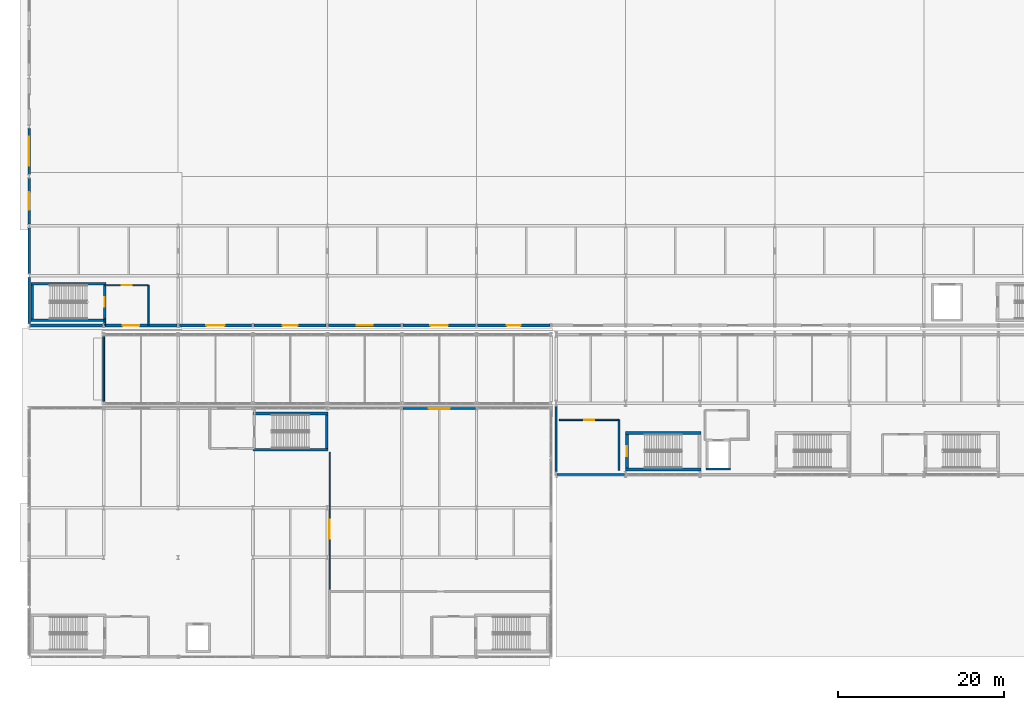
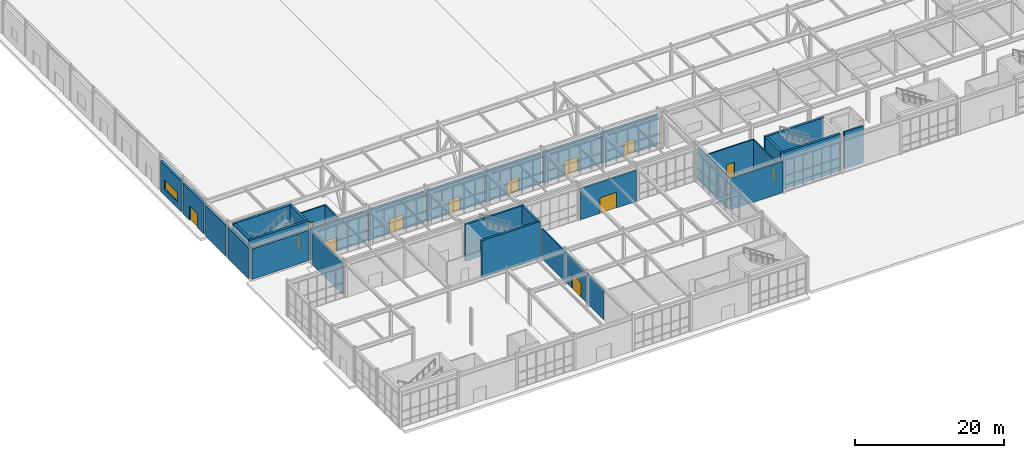
# One storey, part 119 of 146: 32 walls, 13 doors, 1 window, 14 openings.
"""IFC4 building model written with IfcOpenShell, lengths in metres."""

from ifc_helpers import new_model, si_unit, direction, frame, frame_2d, origin, place, context, subcontext, project, spatial, rectangle, extrude, material, layer, layer_set, type_object, element, fill, save


model = new_model("IFC4")

# Units and contexts
model_context = context("Model", 3, precision=1e-05, world=origin(), true_north=direction((0.0, 1.0)))
body_context = subcontext(model_context, "Body", "Model", "MODEL_VIEW")
ifc_project = project(units=[si_unit("LENGTHUNIT", "METRE"), si_unit("AREAUNIT", "SQUARE_METRE"), si_unit("VOLUMEUNIT", "CUBIC_METRE"), si_unit("PLANEANGLEUNIT", "RADIAN"), si_unit("MASSUNIT", "GRAM", prefix="KILO")], contexts=[model_context])

# Site, building, storey
site_placement = place(None, origin())
site = spatial("IfcSite", under=ifc_project, at=site_placement, CompositionType="ELEMENT")
building_placement = place(site_placement, origin())
building = spatial("IfcBuilding", under=site, at=building_placement, Name="Kaldris Quays Convention Centre", CompositionType="ELEMENT")
storey_placement = place(building_placement, origin())
storey = spatial("IfcBuildingStorey", under=building, at=storey_placement, Name="L00", CompositionType="ELEMENT", Elevation=0.0)

# Wall
ifc_material_1 = material(Name="Concrete C35/45", Category="concrete")
ifc_layer_1 = layer(ifc_material_1, 0.344970703125)
ifc_layer_set_1 = layer_set([ifc_layer_1], Name="Concrete C35/45")
wall_type_1 = type_object("IfcWallType", Name="EXTERIOR WALL EW01", PredefinedType="STANDARD", material=ifc_layer_set_1)
wall_1_placement = place(storey_placement, frame((20.1494140625, 56.0, 0.0), z_axis=(0.0, 0.0, 1.0), x_axis=(1.0, 0.0, 0.0)))
element("IfcWall", 1, at=wall_1_placement, inside=storey, type_object=wall_type_1, Name="L00 Exterior Wall EW01 1", PredefinedType="STANDARD", context=body_context, shape_type="SweptSolid", body=[
    extrude(rectangle(XDim=8.701171875, YDim=0.344970703125, at=frame_2d((4.3505859375, 0.0))), origin(), (0.0, 0.0, 1.0), 4.9580078125),
])

# Wall, opening, door
wall_2_placement = place(storey_placement, frame((29.1494140625, 56.0, 0.0), z_axis=(0.0, 0.0, 1.0), x_axis=(1.0, 0.0, 0.0)))
wall_2 = element("IfcWall", 2, at=wall_2_placement, inside=storey, type_object=wall_type_1, Name="L00 Exterior Wall EW01 4", PredefinedType="STANDARD", context=body_context, shape_type="SweptSolid", body=[
    extrude(rectangle(XDim=8.701171875, YDim=0.344970703125, at=frame_2d((4.3505859375, 0.0))), origin(), (0.0, 0.0, 1.0), 4.9580078125),
])
opening_1_placement = place(wall_2_placement, frame((2.150146484375, 0.0, 0.0)))
opening_1 = element("IfcOpeningElement", 3, at=opening_1_placement, cuts=wall_2, Name="Opening ED01", PredefinedType="OPENING", context=body_context, shape_type="SweptSolid", body=[
    extrude(rectangle(XDim=2.0, YDim=2.300048828125, at=frame_2d((1.0, 1.14990234375))), frame((0.0, 0.1826171875, 0.0), z_axis=(0.0, -1.0, 0.0), x_axis=(1.0, 0.0, 0.0)), (0.0, 0.0, 1.0), 0.364990234375),
])
ifc_material_2 = material(Name="Thermally broken anodized aluminium and laminated safety glass", Category="aluminium")
door_type_1 = type_object("IfcDoorType", Name="EXTERIOR DOOR ED01", OperationType="DOUBLE_DOOR_SINGLE_SWING", PredefinedType="DOOR", material=ifc_material_2)
door_1_placement = place(opening_1_placement, frame((2.0, 0.0, 0.0), z_axis=(0.0, 0.0, 1.0), x_axis=(-1.0, 0.0, 0.0)))
door_1 = element("IfcDoor", 4, at=door_1_placement, inside=storey, type_object=door_type_1, Name="L00 Stair ST01 Final Exterior Exit Door ED01", OperationType="DOUBLE_DOOR_SINGLE_SWING", OverallHeight=2.300048828125, OverallWidth=2.0, PredefinedType="DOOR", context=body_context, shape_type="SweptSolid", body=[
    extrude(rectangle(XDim=2.0, YDim=2.300048828125, at=frame_2d((1.0, 1.14990234375))), frame((0.0, 0.02490234375, 0.0), z_axis=(0.0, -1.0, 0.0), x_axis=(1.0, 0.0, 0.0)), (0.0, 0.0, 1.0), 0.050048828125),
])
fill(opening_1, door_1)

wall_3_placement = place(storey_placement, frame((38.1494140625, 56.0, 0.0), z_axis=(0.0, 0.0, 1.0), x_axis=(1.0, 0.0, 0.0)))
wall_3 = element("IfcWall", 5, at=wall_3_placement, inside=storey, type_object=wall_type_1, Name="L00 Exterior Wall EW01 7", PredefinedType="STANDARD", context=body_context, shape_type="SweptSolid", body=[
    extrude(rectangle(XDim=8.701171875, YDim=0.344970703125, at=frame_2d((4.3505859375, 0.0))), origin(), (0.0, 0.0, 1.0), 4.9580078125),
])
opening_2_placement = place(wall_3_placement, frame((3.25048828125, 0.0, 0.0)))
opening_2 = element("IfcOpeningElement", 6, at=opening_2_placement, cuts=wall_3, Name="Opening ED02", PredefinedType="OPENING", context=body_context, shape_type="SweptSolid", body=[
    extrude(rectangle(XDim=2.199951171875, YDim=2.39990234375, at=frame_2d((1.10009765625, 1.199951171875))), frame((0.0, 0.1826171875, 0.0), z_axis=(0.0, -1.0, 0.0), x_axis=(1.0, 0.0, 0.0)), (0.0, 0.0, 1.0), 0.364990234375),
])
door_type_2 = type_object("IfcDoorType", Name="EXTERIOR DOOR ED02", OperationType="DOUBLE_DOOR_SINGLE_SWING", PredefinedType="DOOR", material=ifc_material_2)
door_2_placement = place(opening_2_placement, frame((2.199951171875, 0.0, 0.0), z_axis=(0.0, 0.0, 1.0), x_axis=(-1.0, 0.0, 0.0)))
door_2 = element("IfcDoor", 7, at=door_2_placement, inside=storey, type_object=door_type_2, Name="L00 Exterior Exit Door ED02 1", OperationType="DOUBLE_DOOR_SINGLE_SWING", OverallHeight=2.39990234375, OverallWidth=2.199951171875, PredefinedType="DOOR", context=body_context, shape_type="SweptSolid", body=[
    extrude(rectangle(XDim=2.199951171875, YDim=2.39990234375, at=frame_2d((1.10009765625, 1.199951171875))), frame((0.0, 0.02490234375, 0.0), z_axis=(0.0, -1.0, 0.0), x_axis=(1.0, 0.0, 0.0)), (0.0, 0.0, 1.0), 0.050048828125),
])
fill(opening_2, door_2)

wall_4_placement = place(storey_placement, frame((47.1494140625, 56.0, 0.0), z_axis=(0.0, 0.0, 1.0), x_axis=(1.0, 0.0, 0.0)))
wall_4 = element("IfcWall", 8, at=wall_4_placement, inside=storey, type_object=wall_type_1, Name="L00 Exterior Wall EW01 10", PredefinedType="STANDARD", context=body_context, shape_type="SweptSolid", body=[
    extrude(rectangle(XDim=8.701171875, YDim=0.344970703125, at=frame_2d((4.3505859375, 0.0))), origin(), (0.0, 0.0, 1.0), 4.9580078125),
])
opening_3_placement = place(wall_4_placement, frame((3.450439453125, 0.0, 0.0)))
opening_3 = element("IfcOpeningElement", 9, at=opening_3_placement, cuts=wall_4, Name="Opening ED04", PredefinedType="OPENING", context=body_context, shape_type="SweptSolid", body=[
    extrude(rectangle(XDim=1.800048828125, YDim=2.300048828125, at=frame_2d((0.89990234375, 1.14990234375))), frame((0.0, 0.1826171875, 0.0), z_axis=(0.0, -1.0, 0.0), x_axis=(1.0, 0.0, 0.0)), (0.0, 0.0, 1.0), 0.364990234375),
])
door_type_3 = type_object("IfcDoorType", Name="EXTERIOR DOOR ED04", OperationType="DOUBLE_DOOR_SINGLE_SWING", PredefinedType="DOOR", material=ifc_material_2)
door_3_placement = place(opening_3_placement, frame((1.800048828125, 0.0, 0.0), z_axis=(0.0, 0.0, 1.0), x_axis=(-1.0, 0.0, 0.0)))
door_3 = element("IfcDoor", 10, at=door_3_placement, inside=storey, type_object=door_type_3, Name="L00 Exterior Exit Door ED04 3", OperationType="DOUBLE_DOOR_SINGLE_SWING", OverallHeight=2.300048828125, OverallWidth=1.800048828125, PredefinedType="DOOR", context=body_context, shape_type="SweptSolid", body=[
    extrude(rectangle(XDim=1.800048828125, YDim=2.300048828125, at=frame_2d((0.89990234375, 1.14990234375))), frame((0.0, 0.02490234375, 0.0), z_axis=(0.0, -1.0, 0.0), x_axis=(1.0, 0.0, 0.0)), (0.0, 0.0, 1.0), 0.050048828125),
])
fill(opening_3, door_3)

wall_5_placement = place(storey_placement, frame((56.1494140625, 56.0, 0.0), z_axis=(0.0, 0.0, 1.0), x_axis=(1.0, 0.0, 0.0)))
wall_5 = element("IfcWall", 11, at=wall_5_placement, inside=storey, type_object=wall_type_1, Name="L00 Exterior Wall EW01 13", PredefinedType="STANDARD", context=body_context, shape_type="SweptSolid", body=[
    extrude(rectangle(XDim=8.701171875, YDim=0.344970703125, at=frame_2d((4.3505859375, 0.0))), origin(), (0.0, 0.0, 1.0), 4.9580078125),
])
opening_4_placement = place(wall_5_placement, frame((3.390380859375, 0.0, 0.0)))
opening_4 = element("IfcOpeningElement", 12, at=opening_4_placement, cuts=wall_5, Name="Opening ED07", PredefinedType="OPENING", context=body_context, shape_type="SweptSolid", body=[
    extrude(rectangle(XDim=1.919921875, YDim=2.239990234375, at=frame_2d((0.9599609375, 1.1201171875))), frame((0.0, 0.1826171875, 0.0), z_axis=(0.0, -1.0, 0.0), x_axis=(1.0, 0.0, 0.0)), (0.0, 0.0, 1.0), 0.364990234375),
])
door_type_4 = type_object("IfcDoorType", Name="EXTERIOR DOOR ED07", OperationType="DOUBLE_DOOR_SINGLE_SWING", PredefinedType="DOOR", material=ifc_material_2)
door_4_placement = place(opening_4_placement, frame((1.919921875, 0.0, 0.0), z_axis=(0.0, 0.0, 1.0), x_axis=(-1.0, 0.0, 0.0)))
door_4 = element("IfcDoor", 13, at=door_4_placement, inside=storey, type_object=door_type_4, Name="L00 Exterior Exit Door ED07 4", OperationType="DOUBLE_DOOR_SINGLE_SWING", OverallHeight=2.239990234375, OverallWidth=1.919921875, PredefinedType="DOOR", context=body_context, shape_type="SweptSolid", body=[
    extrude(rectangle(XDim=1.919921875, YDim=2.239990234375, at=frame_2d((0.9599609375, 1.1201171875))), frame((0.0, 0.02490234375, 0.0), z_axis=(0.0, -1.0, 0.0), x_axis=(1.0, 0.0, 0.0)), (0.0, 0.0, 1.0), 0.050048828125),
])
fill(opening_4, door_4)

wall_6_placement = place(storey_placement, frame((65.1494140625, 56.0, 0.0), z_axis=(0.0, 0.0, 1.0), x_axis=(1.0, 0.0, 0.0)))
wall_6 = element("IfcWall", 14, at=wall_6_placement, inside=storey, type_object=wall_type_1, Name="L00 Exterior Wall EW01 16", PredefinedType="STANDARD", context=body_context, shape_type="SweptSolid", body=[
    extrude(rectangle(XDim=8.701171875, YDim=0.344970703125, at=frame_2d((4.3505859375, 0.0))), origin(), (0.0, 0.0, 1.0), 4.9580078125),
])
opening_5_placement = place(wall_6_placement, frame((3.29052734375, 0.0, 0.0)))
opening_5 = element("IfcOpeningElement", 15, at=opening_5_placement, cuts=wall_6, Name="Opening ED08", PredefinedType="OPENING", context=body_context, shape_type="SweptSolid", body=[
    extrude(rectangle(XDim=2.1201171875, YDim=2.340087890625, at=frame_2d((1.06005859375, 1.169921875))), frame((0.0, 0.1826171875, 0.0), z_axis=(0.0, -1.0, 0.0), x_axis=(1.0, 0.0, 0.0)), (0.0, 0.0, 1.0), 0.364990234375),
])
door_type_5 = type_object("IfcDoorType", Name="EXTERIOR DOOR ED08", OperationType="DOUBLE_DOOR_SINGLE_SWING", PredefinedType="DOOR", material=ifc_material_2)
door_5_placement = place(opening_5_placement, frame((2.1201171875, 0.0, 0.0), z_axis=(0.0, 0.0, 1.0), x_axis=(-1.0, 0.0, 0.0)))
door_5 = element("IfcDoor", 16, at=door_5_placement, inside=storey, type_object=door_type_5, Name="L00 Exterior Exit Door ED08 5", OperationType="DOUBLE_DOOR_SINGLE_SWING", OverallHeight=2.340087890625, OverallWidth=2.1201171875, PredefinedType="DOOR", context=body_context, shape_type="SweptSolid", body=[
    extrude(rectangle(XDim=2.1201171875, YDim=2.340087890625, at=frame_2d((1.06005859375, 1.169921875))), frame((0.0, 0.02490234375, 0.0), z_axis=(0.0, -1.0, 0.0), x_axis=(1.0, 0.0, 0.0)), (0.0, 0.0, 1.0), 0.050048828125),
])
fill(opening_5, door_5)

wall_7_placement = place(storey_placement, frame((74.1494140625, 56.0, 0.0), z_axis=(0.0, 0.0, 1.0), x_axis=(1.0, 0.0, 0.0)))
wall_7 = element("IfcWall", 17, at=wall_7_placement, inside=storey, type_object=wall_type_1, Name="L00 Exterior Wall EW01 19", PredefinedType="STANDARD", context=body_context, shape_type="SweptSolid", body=[
    extrude(rectangle(XDim=8.701171875, YDim=0.344970703125, at=frame_2d((4.3505859375, 0.0))), origin(), (0.0, 0.0, 1.0), 4.9580078125),
])
opening_6_placement = place(wall_7_placement, frame((3.510498046875, 0.0, 0.0)))
opening_6 = element("IfcOpeningElement", 18, at=opening_6_placement, cuts=wall_7, Name="Opening ED10", PredefinedType="OPENING", context=body_context, shape_type="SweptSolid", body=[
    extrude(rectangle(XDim=1.679931640625, YDim=2.219970703125, at=frame_2d((0.83984375, 1.10986328125))), frame((0.0, 0.1826171875, 0.0), z_axis=(0.0, -1.0, 0.0), x_axis=(1.0, 0.0, 0.0)), (0.0, 0.0, 1.0), 0.364990234375),
])
door_type_6 = type_object("IfcDoorType", Name="EXTERIOR DOOR ED10", OperationType="DOUBLE_DOOR_SINGLE_SWING", PredefinedType="DOOR", material=ifc_material_2)
door_6_placement = place(opening_6_placement, frame((1.679931640625, 0.0, 0.0), z_axis=(0.0, 0.0, 1.0), x_axis=(-1.0, 0.0, 0.0)))
door_6 = element("IfcDoor", 19, at=door_6_placement, inside=storey, type_object=door_type_6, Name="L00 Exterior Exit Door ED10 7", OperationType="DOUBLE_DOOR_SINGLE_SWING", OverallHeight=2.219970703125, OverallWidth=1.679931640625, PredefinedType="DOOR", context=body_context, shape_type="SweptSolid", body=[
    extrude(rectangle(XDim=1.679931640625, YDim=2.219970703125, at=frame_2d((0.83984375, 1.10986328125))), frame((0.0, 0.02490234375, 0.0), z_axis=(0.0, -1.0, 0.0), x_axis=(1.0, 0.0, 0.0)), (0.0, 0.0, 1.0), 0.050048828125),
])
fill(opening_6, door_6)

# Walls
ifc_layer_2 = layer(ifc_material_1, 0.31201171875)
ifc_layer_set_2 = layer_set([ifc_layer_2], Name="Concrete C35/45")
wall_type_2 = type_object("IfcWallType", Name="EXTERIOR WALL EW02", PredefinedType="STANDARD", material=ifc_layer_set_2)
for number, where, z_axis, x_axis, name in (
    (20, (20.0, 56.2119140625, 0.0), (0.0, 0.0, 1.0), (0.0, 1.0, 0.0), "L00 Exterior Wall EW02 43"),
    (21, (20.0, 62.2119140625, 0.0), (0.0, 0.0, 1.0), (0.0, 1.0, 0.0), "L00 Exterior Wall EW02 46"),
):
    element("IfcWall", number, at=place(storey_placement, frame(where, z_axis=z_axis, x_axis=x_axis)), inside=storey, type_object=wall_type_2, Name=name, PredefinedType="STANDARD", context=body_context, shape_type="SweptSolid", body=[
        extrude(rectangle(XDim=5.576171875, YDim=0.31201171875, at=frame_2d((2.7880859375, 0.0))), origin(), (0.0, 0.0, 1.0), 4.9580078125),
    ])

# Wall, opening, door
wall_8_placement = place(storey_placement, frame((20.0, 68.2119140625, 0.0), z_axis=(0.0, 0.0, 1.0), x_axis=(0.0, 1.0, 0.0)))
wall_8 = element("IfcWall", 22, at=wall_8_placement, inside=storey, type_object=wall_type_2, Name="L00 Exterior Wall EW02 50", PredefinedType="STANDARD", context=body_context, shape_type="SweptSolid", body=[
    extrude(rectangle(XDim=5.576171875, YDim=0.31201171875, at=frame_2d((2.7880859375, 0.0))), origin(), (0.0, 0.0, 1.0), 4.9580078125),
])
opening_7_placement = place(wall_8_placement, frame((1.72802734375, 0.0, 0.0)))
opening_7 = element("IfcOpeningElement", 23, at=opening_7_placement, cuts=wall_8, Name="Opening ED08", PredefinedType="OPENING", context=body_context, shape_type="SweptSolid", body=[
    extrude(rectangle(XDim=2.1201171875, YDim=2.340087890625, at=frame_2d((1.06005859375, 1.169921875))), frame((0.0, 0.166015625, 0.0), z_axis=(0.0, -1.0, 0.0), x_axis=(1.0, 0.0, 0.0)), (0.0, 0.0, 1.0), 0.33203125),
])
door_7_placement = place(opening_7_placement, origin())
door_7 = element("IfcDoor", 24, at=door_7_placement, inside=storey, type_object=door_type_5, Name="L00 Exterior Exit Door ED08 14", OperationType="DOUBLE_DOOR_SINGLE_SWING", OverallHeight=2.340087890625, OverallWidth=2.1201171875, PredefinedType="DOOR", context=body_context, shape_type="SweptSolid", body=[
    extrude(rectangle(XDim=2.1201171875, YDim=2.340087890625, at=frame_2d((1.06005859375, 1.169921875))), frame((0.0, 0.02490234375, 0.0), z_axis=(0.0, -1.0, 0.0), x_axis=(1.0, 0.0, 0.0)), (0.0, 0.0, 1.0), 0.050048828125),
])
fill(opening_7, door_7)

# Wall, opening, window
wall_9_placement = place(storey_placement, frame((20.0, 74.2119140625, 0.0), z_axis=(0.0, 0.0, 1.0), x_axis=(0.0, 1.0, 0.0)))
wall_9 = element("IfcWall", 25, at=wall_9_placement, inside=storey, type_object=wall_type_2, Name="L00 Exterior Wall EW02 53", PredefinedType="STANDARD", context=body_context, shape_type="SweptSolid", body=[
    extrude(rectangle(XDim=5.576171875, YDim=0.31201171875, at=frame_2d((2.7880859375, 0.0))), origin(), (0.0, 0.0, 1.0), 5.0),
])
opening_8_placement = place(wall_9_placement, frame((1.0380859375, 0.0, 1.0)))
opening_8 = element("IfcOpeningElement", 26, at=opening_8_placement, cuts=wall_9, Name="Opening WN34", PredefinedType="OPENING", context=body_context, shape_type="SweptSolid", body=[
    extrude(rectangle(XDim=3.5, YDim=1.550048828125, at=frame_2d((1.75, 0.77490234375))), frame((0.0, 0.166015625, 0.0), z_axis=(0.0, -1.0, 0.0), x_axis=(1.0, 0.0, 0.0)), (0.0, 0.0, 1.0), 0.33203125),
])
ifc_material_3 = material(Name="Triple low-E insulated glazing", Category="glass")
window_type = type_object("IfcWindowType", Name="TRIPLE GLAZED WINDOW WN34", PartitioningType="SINGLE_PANEL", PredefinedType="WINDOW", material=ifc_material_3)
window_placement = place(opening_8_placement, origin())
window = element("IfcWindow", 27, at=window_placement, inside=storey, type_object=window_type, Name="L00 Exterior Window WN34 17", OverallHeight=1.550048828125, OverallWidth=3.5, PartitioningType="SINGLE_PANEL", PredefinedType="WINDOW", context=body_context, shape_type="SweptSolid", body=[
    extrude(rectangle(XDim=3.5, YDim=1.550048828125, at=frame_2d((1.75, 0.77490234375))), frame((0.0, 0.030029296875, 0.0), z_axis=(0.0, -1.0, 0.0), x_axis=(1.0, 0.0, 0.0)), (0.0, 0.0, 1.0), 0.06005859375),
])
fill(opening_8, window)

# Wall
ifc_material_4 = material(Name="Precast concrete C40/50", Category="concrete")
ifc_layer_3 = layer(ifc_material_4, 0.2880859375)
ifc_layer_set_3 = layer_set([ifc_layer_3], Name="Precast concrete C40/50")
wall_type_3 = type_object("IfcWallType", Name="EXTERIOR WALL EW03", PredefinedType="STANDARD", material=ifc_layer_set_3)
wall_10_placement = place(storey_placement, frame((83.60009765625, 38.345947265625, 0.0), z_axis=(0.0, 0.0, 1.0), x_axis=(0.0, 1.0, 0.0)))
element("IfcWall", 28, at=wall_10_placement, inside=storey, type_object=wall_type_3, Name="L00 Exterior Wall EW03 238", PredefinedType="STANDARD", context=body_context, shape_type="SweptSolid", body=[
    extrude(rectangle(XDim=7.907958984375, YDim=0.2880859375, at=frame_2d((3.9541015625, 0.0))), origin(), (0.0, 0.0, 1.0), 5.10009765625),
])

# Wall, opening, door
ifc_material_5 = material(Name="Basalt stone ashlar cladding", Category="masonry")
ifc_layer_4 = layer(ifc_material_5, 0.241943359375)
ifc_layer_set_4 = layer_set([ifc_layer_4], Name="Basalt stone ashlar cladding")
wall_type_4 = type_object("IfcWallType", Name="EXTERIOR WALL EW05", PredefinedType="STANDARD", material=ifc_layer_set_4)
wall_11_placement = place(storey_placement, frame((65.14990234375, 46.0, 0.0), z_axis=(0.0, 0.0, 1.0), x_axis=(1.0, 0.0, 0.0)))
wall_11 = element("IfcWall", 29, at=wall_11_placement, inside=storey, type_object=wall_type_4, Name="L00 Exterior Wall EW05 158", PredefinedType="STANDARD", context=body_context, shape_type="SweptSolid", body=[
    extrude(rectangle(XDim=8.7001953125, YDim=0.241943359375, at=frame_2d((4.35009765625, 0.0))), origin(), (0.0, 0.0, 1.0), 5.097900390625),
])
opening_9_placement = place(wall_11_placement, frame((3.074951171875, 0.0, 0.0)))
opening_9 = element("IfcOpeningElement", 30, at=opening_9_placement, cuts=wall_11, Name="Opening ED11", PredefinedType="OPENING", context=body_context, shape_type="SweptSolid", body=[
    extrude(rectangle(XDim=2.550048828125, YDim=2.550048828125, at=frame_2d((1.27490234375, 1.27490234375))), frame((0.0, 0.130859375, 0.0), z_axis=(0.0, -1.0, 0.0), x_axis=(1.0, 0.0, 0.0)), (0.0, 0.0, 1.0), 0.261962890625),
])
door_type_7 = type_object("IfcDoorType", Name="EXTERIOR DOOR ED11", OperationType="DOUBLE_DOOR_SINGLE_SWING", PredefinedType="DOOR", material=ifc_material_2)
door_8_placement = place(opening_9_placement, origin())
door_8 = element("IfcDoor", 31, at=door_8_placement, inside=storey, type_object=door_type_7, Name="L00 Exterior Exit Door ED11 30", OperationType="DOUBLE_DOOR_SINGLE_SWING", OverallHeight=2.550048828125, OverallWidth=2.550048828125, PredefinedType="DOOR", context=body_context, shape_type="SweptSolid", body=[
    extrude(rectangle(XDim=2.550048828125, YDim=2.550048828125, at=frame_2d((1.27490234375, 1.27490234375))), frame((0.0, 0.02490234375, 0.0), z_axis=(0.0, -1.0, 0.0), x_axis=(1.0, 0.0, 0.0)), (0.0, 0.0, 1.0), 0.050048828125),
])
fill(opening_9, door_8)

# Walls
ifc_material_6 = material(Name="Anodized aluminium insulated cassette", Category="aluminium")
ifc_layer_5 = layer(ifc_material_6, 0.221923828125)
ifc_layer_set_5 = layer_set([ifc_layer_5], Name="Anodized aluminium insulated cassette")
wall_type_5 = type_object("IfcWallType", Name="EXTERIOR WALL EW06", PredefinedType="STANDARD", material=ifc_layer_set_5)
wall_12_placement = place(storey_placement, frame((29.0, 46.791015625, 0.0), z_axis=(0.0, 0.0, 1.0), x_axis=(0.0, 1.0, 0.0)))
element("IfcWall", 32, at=wall_12_placement, inside=storey, type_object=wall_type_5, Name="L00 Exterior Wall EW06 214", PredefinedType="STANDARD", context=body_context, shape_type="SweptSolid", body=[
    extrude(rectangle(XDim=7.91796875, YDim=0.221923828125, at=frame_2d((3.958984375, 0.0))), origin(), (0.0, 0.0, 1.0), 5.10009765625),
])
wall_13_placement = place(storey_placement, frame((83.74609375, 38.0, 0.0), z_axis=(0.0, 0.0, 1.0), x_axis=(1.0, 0.0, 0.0)))
element("IfcWall", 33, at=wall_13_placement, inside=storey, type_object=wall_type_5, Name="L00 Exterior Wall EW06 227", PredefinedType="STANDARD", context=body_context, shape_type="SweptSolid", body=[
    extrude(rectangle(XDim=8.10791015625, YDim=0.221923828125, at=frame_2d((4.053955078125, 0.0))), origin(), (0.0, 0.0, 1.0), 5.097900390625),
])

# Wall, opening, door
ifc_layer_6 = layer(ifc_material_1, 0.199951171875)
ifc_layer_set_6 = layer_set([ifc_layer_6], Name="Concrete C35/45")
wall_type_6 = type_object("IfcWallType", Name="INTERIOR WALL IW01", PredefinedType="PARTITIONING", material=ifc_layer_set_6)
wall_14_placement = place(storey_placement, frame((29.125, 60.85009765625, 0.0), z_axis=(0.0, 0.0, 1.0), x_axis=(1.0, 0.0, 0.0)))
wall_14 = element("IfcWall", 34, at=wall_14_placement, inside=storey, type_object=wall_type_6, Name="L00 Protected Exit Lobby ST01 Fire Wall", PredefinedType="PARTITIONING", context=body_context, shape_type="SweptSolid", body=[
    extrude(rectangle(XDim=5.27490234375, YDim=0.199951171875, at=frame_2d((2.637451171875, 0.0))), origin(), (0.0, 0.0, 1.0), 4.199951171875),
])
opening_10_placement = place(wall_14_placement, frame((2.03759765625, 0.0, 0.0)))
opening_10 = element("IfcOpeningElement", 35, at=opening_10_placement, cuts=wall_14, Name="Opening ID03", PredefinedType="OPENING", context=body_context, shape_type="SweptSolid", body=[
    extrude(rectangle(XDim=1.199951171875, YDim=2.199951171875, at=frame_2d((0.60009765625, 1.10009765625))), frame((0.0, 0.10986328125, 0.0), z_axis=(0.0, -1.0, 0.0), x_axis=(1.0, 0.0, 0.0)), (0.0, 0.0, 1.0), 0.219970703125),
])
ifc_material_7 = material(Name="Steel S355J2 fire-resisting door", Category="steel")
door_type_8 = type_object("IfcDoorType", Name="INTERIOR DOOR ID03", OperationType="NOTDEFINED", PredefinedType="DOOR", material=ifc_material_7)
door_9_placement = place(opening_10_placement, frame((1.199951171875, 0.0, 0.0), z_axis=(0.0, 0.0, 1.0), x_axis=(-1.0, 0.0, 0.0)))
door_9 = element("IfcDoor", 36, at=door_9_placement, inside=storey, type_object=door_type_8, Name="L00 Protected Exit Lobby ST01 Entry Fire Door", OperationType="SINGLE_SWING_RIGHT", OverallHeight=2.199951171875, OverallWidth=1.199951171875, PredefinedType="DOOR", context=body_context, shape_type="SweptSolid", body=[
    extrude(rectangle(XDim=1.199951171875, YDim=2.199951171875, at=frame_2d((0.60009765625, 1.10009765625))), frame((0.0, 0.02490234375, 0.0), z_axis=(0.0, -1.0, 0.0), x_axis=(1.0, 0.0, 0.0)), (0.0, 0.0, 1.0), 0.050048828125),
])
fill(opening_10, door_9)

# Walls
wall_15_placement = place(storey_placement, frame((34.39990234375, 56.0, 0.0), z_axis=(0.0, 0.0, 1.0), x_axis=(0.0, 1.0, 0.0)))
element("IfcWall", 37, at=wall_15_placement, inside=storey, type_object=wall_type_6, Name="L00 Protected Exit Lobby ST01 Side Wall 1", PredefinedType="PARTITIONING", context=body_context, shape_type="SweptSolid", body=[
    extrude(rectangle(XDim=4.85009765625, YDim=0.199951171875, at=frame_2d((2.425048828125, 0.0))), origin(), (0.0, 0.0, 1.0), 4.199951171875),
])
wall_16_placement = place(storey_placement, frame((29.125, 56.0, 0.0), z_axis=(0.0, 0.0, 1.0), x_axis=(0.0, 1.0, 0.0)))
element("IfcWall", 38, at=wall_16_placement, inside=storey, type_object=wall_type_6, Name="L00 Protected Exit Lobby ST01 Side Wall 2", PredefinedType="PARTITIONING", context=body_context, shape_type="SweptSolid", body=[
    extrude(rectangle(XDim=0.800048828125, YDim=0.199951171875, at=frame_2d((0.39990234375, 0.0))), origin(), (0.0, 0.0, 1.0), 4.199951171875),
])

# Wall, opening, door
wall_17_placement = place(storey_placement, frame((84.0, 44.60009765625, 0.0), z_axis=(0.0, 0.0, 1.0), x_axis=(1.0, 0.0, 0.0)))
wall_17 = element("IfcWall", 39, at=wall_17_placement, inside=storey, type_object=wall_type_6, Name="L00 Interior Wall IW01 23", PredefinedType="PARTITIONING", context=body_context, shape_type="SweptSolid", body=[
    extrude(rectangle(XDim=7.199951171875, YDim=0.199951171875, at=frame_2d((3.60009765625, 0.0))), origin(), (0.0, 0.0, 1.0), 4.89990234375),
])
opening_11_placement = place(wall_17_placement, frame((3.0, 0.0, 0.0)))
opening_11 = element("IfcOpeningElement", 40, at=opening_11_placement, cuts=wall_17, Name="Opening ID03", PredefinedType="OPENING", context=body_context, shape_type="SweptSolid", body=[
    extrude(rectangle(XDim=1.199951171875, YDim=2.199951171875, at=frame_2d((0.60009765625, 1.10009765625))), frame((0.0, 0.10986328125, 0.0), z_axis=(0.0, -1.0, 0.0), x_axis=(1.0, 0.0, 0.0)), (0.0, 0.0, 1.0), 0.219970703125),
])
door_10_placement = place(opening_11_placement, origin())
door_10 = element("IfcDoor", 41, at=door_10_placement, inside=storey, type_object=door_type_8, Name="L00 Interior Door ID03 17", OperationType="SINGLE_SWING_RIGHT", OverallHeight=2.199951171875, OverallWidth=1.199951171875, PredefinedType="DOOR", context=body_context, shape_type="SweptSolid", body=[
    extrude(rectangle(XDim=1.199951171875, YDim=2.199951171875, at=frame_2d((0.60009765625, 1.10009765625))), frame((0.0, 0.02490234375, 0.0), z_axis=(0.0, -1.0, 0.0), x_axis=(1.0, 0.0, 0.0)), (0.0, 0.0, 1.0), 0.050048828125),
])
fill(opening_11, door_10)

# Wall
wall_18_placement = place(storey_placement, frame((91.199951171875, 38.5, 0.0), z_axis=(0.0, 0.0, 1.0), x_axis=(0.0, 1.0, 0.0)))
element("IfcWall", 42, at=wall_18_placement, inside=storey, type_object=wall_type_6, Name="L00 Interior Wall IW01 24", PredefinedType="PARTITIONING", context=body_context, shape_type="SweptSolid", body=[
    extrude(rectangle(XDim=6.10009765625, YDim=0.199951171875, at=frame_2d((3.050048828125, 0.0))), origin(), (0.0, 0.0, 1.0), 4.89990234375),
])

# Wall, opening, door
ifc_material_8 = material(Name="Acoustic gypsum stud partition", Category="gypsum")
ifc_layer_7 = layer(ifc_material_8, 0.14794921875)
ifc_layer_set_7 = layer_set([ifc_layer_7], Name="Acoustic gypsum stud partition")
wall_type_7 = type_object("IfcWallType", Name="INTERIOR WALL IW04", PredefinedType="PARTITIONING", material=ifc_layer_set_7)
wall_19_placement = place(storey_placement, frame((56.280029296875, 24.10009765625, 0.0), z_axis=(0.0, 0.0, 1.0), x_axis=(0.0, 1.0, 0.0)))
wall_19 = element("IfcWall", 43, at=wall_19_placement, inside=storey, type_object=wall_type_7, Name="L00 Interior Wall IW04 28", PredefinedType="PARTITIONING", context=body_context, shape_type="SweptSolid", body=[
    extrude(rectangle(XDim=16.599853515625, YDim=0.14794921875, at=frame_2d((8.2998046875, 0.0))), origin(), (0.0, 0.0, 1.0), 4.89990234375),
])
opening_12_placement = place(wall_19_placement, frame((6.14990234375, 0.0, 0.0)))
opening_12 = element("IfcOpeningElement", 44, at=opening_12_placement, cuts=wall_19, Name="Opening ID11", PredefinedType="OPENING", context=body_context, shape_type="SweptSolid", body=[
    extrude(rectangle(XDim=2.300048828125, YDim=2.360107421875, at=frame_2d((1.14990234375, 1.18017578125))), frame((0.0, 0.083984375, 0.0), z_axis=(0.0, -1.0, 0.0), x_axis=(1.0, 0.0, 0.0)), (0.0, 0.0, 1.0), 0.16796875),
])
ifc_material_9 = material(Name="Glazed anodized aluminium foyer door", Category="aluminium")
door_type_9 = type_object("IfcDoorType", Name="INTERIOR DOOR ID11", OperationType="DOUBLE_DOOR_SINGLE_SWING", PredefinedType="DOOR", material=ifc_material_9)
door_11_placement = place(opening_12_placement, origin())
door_11 = element("IfcDoor", 45, at=door_11_placement, inside=storey, type_object=door_type_9, Name="L00 Interior Door ID11 21", OperationType="DOUBLE_DOOR_SINGLE_SWING", OverallHeight=2.360107421875, OverallWidth=2.300048828125, PredefinedType="DOOR", context=body_context, shape_type="SweptSolid", body=[
    extrude(rectangle(XDim=2.300048828125, YDim=2.360107421875, at=frame_2d((1.14990234375, 1.18017578125))), frame((0.0, 0.02490234375, 0.0), z_axis=(0.0, -1.0, 0.0), x_axis=(1.0, 0.0, 0.0)), (0.0, 0.0, 1.0), 0.050048828125),
])
fill(opening_12, door_11)

# Walls
ifc_material_10 = material(Name="Concrete C40/50", Category="concrete")
ifc_layer_8 = layer(ifc_material_10, 0.35009765625)
ifc_layer_set_8 = layer_set([ifc_layer_8], Name="Concrete C40/50")
wall_type_8 = type_object("IfcWallType", Name="STRUCTURAL WALL SW01", PredefinedType="SHEAR", material=ifc_layer_set_8)
for number, where, z_axis, x_axis, name in (
    (46, (20.199951171875, 56.625, 0.0), (0.0, 0.0, 1.0), (1.0, 0.0, 0.0), "L00 Core Shear Wall CORE-ST01-L00-S"),
    (47, (20.199951171875, 61.02490234375, 0.0), (0.0, 0.0, 1.0), (1.0, 0.0, 0.0), "L00 Core Shear Wall CORE-ST01-L00-N"),
):
    element("IfcWall", number, at=place(storey_placement, frame(where, z_axis=z_axis, x_axis=x_axis)), inside=storey, type_object=wall_type_8, Name=name, PredefinedType="SHEAR", context=body_context, shape_type="SweptSolid", body=[
        extrude(rectangle(XDim=9.10009765625, YDim=0.35009765625, at=frame_2d((4.550048828125, 0.0))), origin(), (0.0, 0.0, 1.0), 6.0),
    ])
wall_20_placement = place(storey_placement, frame((20.375, 56.800048828125, 0.0), z_axis=(0.0, 0.0, 1.0), x_axis=(0.0, 1.0, 0.0)))
element("IfcWall", 48, at=wall_20_placement, inside=storey, type_object=wall_type_8, Name="L00 Core Shear Wall CORE-ST01-L00-W", PredefinedType="SHEAR", context=body_context, shape_type="SweptSolid", body=[
    extrude(rectangle(XDim=4.050048828125, YDim=0.35009765625, at=frame_2d((2.02490234375, 0.0))), origin(), (0.0, 0.0, 1.0), 6.0),
])

# Wall, opening, door
wall_21_placement = place(storey_placement, frame((29.125, 56.800048828125, 0.0), z_axis=(0.0, 0.0, 1.0), x_axis=(0.0, 1.0, 0.0)))
wall_21 = element("IfcWall", 49, at=wall_21_placement, inside=storey, type_object=wall_type_8, Name="L00 Core Shear Wall CORE-ST01-L00-E", PredefinedType="SHEAR", context=body_context, shape_type="SweptSolid", body=[
    extrude(rectangle(XDim=4.050048828125, YDim=0.35009765625, at=frame_2d((2.02490234375, 0.0))), origin(), (0.0, 0.0, 1.0), 6.0),
])
opening_13_placement = place(wall_21_placement, frame((1.425048828125, 0.0, 0.0)))
opening_13 = element("IfcOpeningElement", 50, at=opening_13_placement, cuts=wall_21, Name="Opening ID03", PredefinedType="OPENING", context=body_context, shape_type="SweptSolid", body=[
    extrude(rectangle(XDim=1.199951171875, YDim=2.199951171875, at=frame_2d((0.60009765625, 1.10009765625))), frame((0.0, 0.18505859375, 0.0), z_axis=(0.0, -1.0, 0.0), x_axis=(1.0, 0.0, 0.0)), (0.0, 0.0, 1.0), 0.3701171875),
])
door_12_placement = place(opening_13_placement, frame((1.199951171875, 0.0, 0.0), z_axis=(0.0, 0.0, 1.0), x_axis=(-1.0, 0.0, 0.0)))
door_12 = element("IfcDoor", 51, at=door_12_placement, inside=storey, type_object=door_type_8, Name="L00 Escape Stair ST01 Fire Door", OperationType="SINGLE_SWING_RIGHT", OverallHeight=2.199951171875, OverallWidth=1.199951171875, PredefinedType="DOOR", context=body_context, shape_type="SweptSolid", body=[
    extrude(rectangle(XDim=1.199951171875, YDim=2.199951171875, at=frame_2d((0.60009765625, 1.10009765625))), frame((0.0, 0.02490234375, 0.0), z_axis=(0.0, -1.0, 0.0), x_axis=(1.0, 0.0, 0.0)), (0.0, 0.0, 1.0), 0.050048828125),
])
fill(opening_13, door_12)

# Walls
for number, where, z_axis, x_axis, name in (
    (52, (92.0, 38.625, 0.0), (0.0, 0.0, 1.0), (1.0, 0.0, 0.0), "L00 Core Shear Wall CORE-ST11-L00-S"),
    (53, (92.0, 43.02490234375, 0.0), (0.0, 0.0, 1.0), (1.0, 0.0, 0.0), "L00 Core Shear Wall CORE-ST11-L00-N"),
):
    element("IfcWall", number, at=place(storey_placement, frame(where, z_axis=z_axis, x_axis=x_axis)), inside=storey, type_object=wall_type_8, Name=name, PredefinedType="SHEAR", context=body_context, shape_type="SweptSolid", body=[
        extrude(rectangle(XDim=9.10009765625, YDim=0.35009765625, at=frame_2d((4.550048828125, 0.0))), origin(), (0.0, 0.0, 1.0), 6.0),
    ])

# Wall, opening, door
wall_22_placement = place(storey_placement, frame((92.175048828125, 38.800048828125, 0.0), z_axis=(0.0, 0.0, 1.0), x_axis=(0.0, 1.0, 0.0)))
wall_22 = element("IfcWall", 54, at=wall_22_placement, inside=storey, type_object=wall_type_8, Name="L00 Core Shear Wall CORE-ST11-L00-W", PredefinedType="SHEAR", context=body_context, shape_type="SweptSolid", body=[
    extrude(rectangle(XDim=4.050048828125, YDim=0.35009765625, at=frame_2d((2.02490234375, 0.0))), origin(), (0.0, 0.0, 1.0), 6.0),
])
opening_14_placement = place(wall_22_placement, frame((1.425048828125, 0.0, 0.0)))
opening_14 = element("IfcOpeningElement", 55, at=opening_14_placement, cuts=wall_22, Name="Opening ID03", PredefinedType="OPENING", context=body_context, shape_type="SweptSolid", body=[
    extrude(rectangle(XDim=1.199951171875, YDim=2.199951171875, at=frame_2d((0.60009765625, 1.10009765625))), frame((0.0, 0.18505859375, 0.0), z_axis=(0.0, -1.0, 0.0), x_axis=(1.0, 0.0, 0.0)), (0.0, 0.0, 1.0), 0.3701171875),
])
door_13_placement = place(opening_14_placement, origin())
door_13 = element("IfcDoor", 56, at=door_13_placement, inside=storey, type_object=door_type_8, Name="L00 Escape Stair ST11 Fire Door", OperationType="SINGLE_SWING_RIGHT", OverallHeight=2.199951171875, OverallWidth=1.199951171875, PredefinedType="DOOR", context=body_context, shape_type="SweptSolid", body=[
    extrude(rectangle(XDim=1.199951171875, YDim=2.199951171875, at=frame_2d((0.60009765625, 1.10009765625))), frame((0.0, 0.02490234375, 0.0), z_axis=(0.0, -1.0, 0.0), x_axis=(1.0, 0.0, 0.0)), (0.0, 0.0, 1.0), 0.050048828125),
])
fill(opening_14, door_13)

# Walls
ifc_layer_9 = layer(ifc_material_10, 0.320068359375)
ifc_layer_set_9 = layer_set([ifc_layer_9], Name="Concrete C40/50")
wall_type_9 = type_object("IfcWallType", Name="STRUCTURAL WALL SW02", PredefinedType="SHEAR", material=ifc_layer_set_9)
for number, where, z_axis, x_axis, name in (
    (57, (47.030029296875, 40.989990234375, 0.0), (0.0, 0.0, 1.0), (1.0, 0.0, 0.0), "L00 Core Shear Wall CORE-ST07-L00-S"),
    (58, (47.030029296875, 45.360107421875, 0.0), (0.0, 0.0, 1.0), (1.0, 0.0, 0.0), "L00 Core Shear Wall CORE-ST07-L00-N"),
):
    element("IfcWall", number, at=place(storey_placement, frame(where, z_axis=z_axis, x_axis=x_axis)), inside=storey, type_object=wall_type_9, Name=name, PredefinedType="SHEAR", context=body_context, shape_type="SweptSolid", body=[
        extrude(rectangle(XDim=9.0400390625, YDim=0.320068359375, at=frame_2d((4.52001953125, 0.0))), origin(), (0.0, 0.0, 1.0), 6.0),
    ])
wall_23_placement = place(storey_placement, frame((55.909912109375, 41.14990234375, 0.0), z_axis=(0.0, 0.0, 1.0), x_axis=(0.0, 1.0, 0.0)))
element("IfcWall", 59, at=wall_23_placement, inside=storey, type_object=wall_type_9, Name="L00 Core Shear Wall CORE-ST07-L00-E", PredefinedType="SHEAR", context=body_context, shape_type="SweptSolid", body=[
    extrude(rectangle(XDim=4.050048828125, YDim=0.320068359375, at=frame_2d((2.02490234375, 0.0))), origin(), (0.0, 0.0, 1.0), 6.0),
])
ifc_layer_10 = layer(ifc_material_10, 0.280029296875)
ifc_layer_set_10 = layer_set([ifc_layer_10], Name="Concrete C40/50")
wall_type_10 = type_object("IfcWallType", Name="STRUCTURAL WALL SW03", PredefinedType="SHEAR", material=ifc_layer_set_10)
wall_24_placement = place(storey_placement, frame((101.719970703125, 38.659912109375, 0.0), z_axis=(0.0, 0.0, 1.0), x_axis=(1.0, 0.0, 0.0)))
element("IfcWall", 60, at=wall_24_placement, inside=storey, type_object=wall_type_10, Name="L00 Core Shear Wall LSHAFT-FL01-L00-S", PredefinedType="SHEAR", context=body_context, shape_type="SweptSolid", body=[
    extrude(rectangle(XDim=2.9599609375, YDim=0.280029296875, at=frame_2d((1.47998046875, 0.0))), origin(), (0.0, 0.0, 1.0), 6.0),
])

save(model, "model.ifc")
